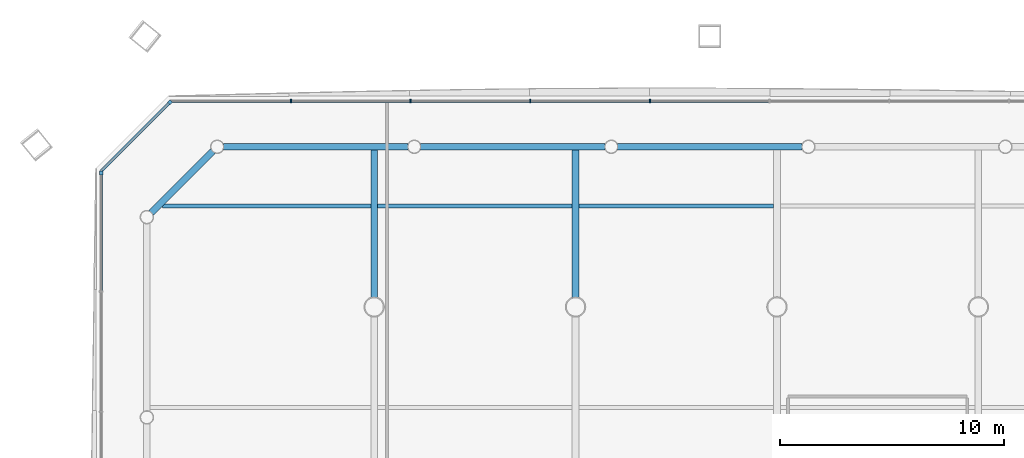
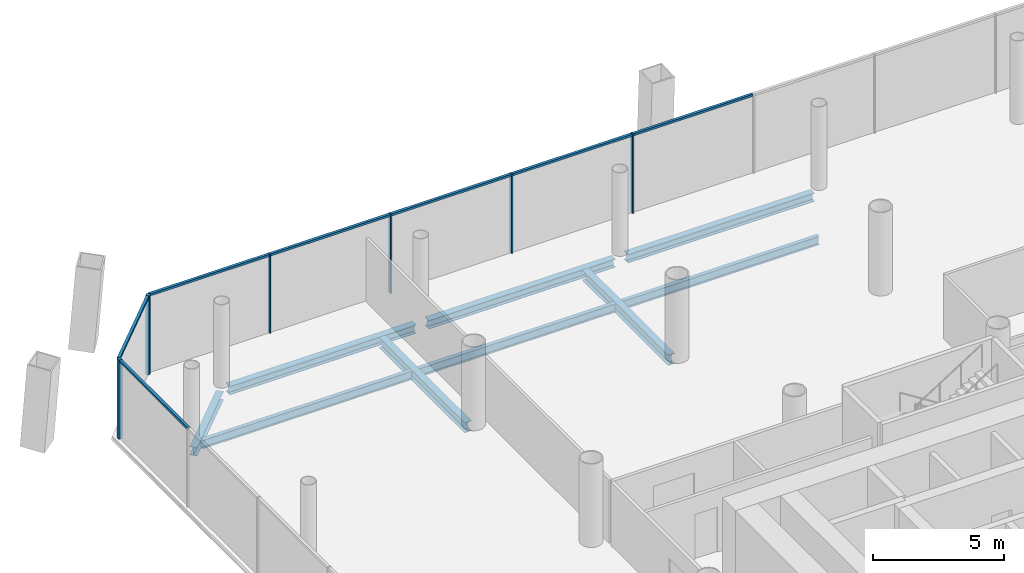
# One storey, part 10 of 22: 13 members, 9 beams, 3 elements without a shape of their own.
"""IFC4 building model written with IfcOpenShell, lengths in metres."""

from ifc_helpers import new_model, si_unit, direction, frame, origin, origin_2d, place, context, subcontext, project, spatial, rectangle, i_section, extrude, material, material_profile, profile_set, type_object, element, aggregate, save


model = new_model("IFC4")

# Units and contexts
model_context = context("Model", 3, precision=1e-05, world=origin(), true_north=direction((0.0, 1.0)))
body_context = subcontext(model_context, "Body", "Model", "MODEL_VIEW")
ifc_project = project(units=[si_unit("LENGTHUNIT", "METRE"), si_unit("AREAUNIT", "SQUARE_METRE"), si_unit("VOLUMEUNIT", "CUBIC_METRE"), si_unit("PLANEANGLEUNIT", "RADIAN"), si_unit("MASSUNIT", "GRAM", prefix="KILO")], contexts=[model_context])

# Site, building, storey
site_placement = place(None, origin())
site = spatial("IfcSite", under=ifc_project, at=site_placement, CompositionType="ELEMENT")
building_placement = place(site_placement, origin())
building = spatial("IfcBuilding", under=site, at=building_placement, Name="Tskaro Facet Tower", CompositionType="ELEMENT")
storey_placement = place(building_placement, frame((0.0, 0.0, 26.39990234375)))
storey = spatial("IfcBuildingStorey", under=building, at=storey_placement, Name="L05", CompositionType="ELEMENT", Elevation=26.39990234375)

# Curtain wall, member
ifc_material_1 = material(Name="Bronze anodised aluminium 6063-T6", Category="aluminium")
curtain_wall_type = type_object("IfcCurtainWallType", Name="Bronze office curtain wall (FW1)", PredefinedType="NOTDEFINED", material=ifc_material_1)
curtain_wall_1_placement = place(storey_placement, origin())
curtain_wall_1 = element("IfcCurtainWall", 1, at=curtain_wall_1_placement, inside=storey, type_object=curtain_wall_type, Name="FW1 north-west facet L05", PredefinedType="NOTDEFINED")
ifc_material_profile_1 = material_profile(ifc_material_1, rectangle(XDim=0.159912109375, YDim=0.159912109375, at=origin_2d()), Name="Corner post 160x160")
ifc_profile_set_1 = profile_set([ifc_material_profile_1], Name="Bronze anodised aluminium 6063-T6")
member_type_1 = type_object("IfcMemberType", Name="FW1 bronze corner post 160x160", PredefinedType="MULLION", material=ifc_profile_set_1)
member_1_placement = place(storey_placement, frame((-27.12255859375, 27.1455078125, 0.0), z_axis=(0.0, 0.0, 1.0), x_axis=(-0.707106781187, -0.707106781187, 0.0)))
member_1 = element("IfcMember", 2, at=member_1_placement, type_object=member_type_1, Name="FW1 north-west corner post", PredefinedType="MULLION", context=body_context, shape_type="SweptSolid", body=[
    extrude(rectangle(XDim=0.159912109375, YDim=0.159912109375, at=origin_2d()), origin(), (0.0, 0.0, 1.0), 3.7001953125),
])

curtain_wall_2_placement = place(storey_placement, origin())
curtain_wall_2 = element("IfcCurtainWall", 3, at=curtain_wall_2_placement, inside=storey, type_object=curtain_wall_type, Name="FW1 west facet L05", PredefinedType="NOTDEFINED")
member_2_placement = place(storey_placement, frame((-30.201904296875, 23.986083984375, 0.0), z_axis=(0.0, 0.0, 1.0), x_axis=(0.0, -1.0, 0.0)))
member_2 = element("IfcMember", 4, at=member_2_placement, type_object=member_type_1, Name="FW1 west corner post", PredefinedType="MULLION", context=body_context, shape_type="SweptSolid", body=[
    extrude(rectangle(XDim=0.159912109375, YDim=0.159912109375, at=origin_2d()), origin(), (0.0, 0.0, 1.0), 3.7001953125),
])

# Curtain wall, members
curtain_wall_3_placement = place(storey_placement, origin())
curtain_wall_3 = element("IfcCurtainWall", 5, at=curtain_wall_3_placement, inside=storey, type_object=curtain_wall_type, Name="FW1 north facet L05", PredefinedType="NOTDEFINED")
ifc_material_profile_2 = material_profile(ifc_material_1, rectangle(XDim=0.06005859375, YDim=0.159912109375, at=origin_2d()), Name="Mullion 60x160")
ifc_profile_set_2 = profile_set([ifc_material_profile_2], Name="Bronze anodised aluminium 6063-T6")
member_type_2 = type_object("IfcMemberType", Name="FW1 bronze mullion 60x160", PredefinedType="MULLION", material=ifc_profile_set_2)
member_3_placement = place(storey_placement, frame((-5.674072265625, 27.201904296875, 0.0), z_axis=(0.0, 0.0, 1.0), x_axis=(-1.0, 0.0, 0.0)))
member_3 = element("IfcMember", 6, at=member_3_placement, type_object=member_type_2, Name="FW1 north mullion 5", PredefinedType="MULLION", context=body_context, shape_type="SweptSolid", body=[
    extrude(rectangle(XDim=0.06005859375, YDim=0.159912109375, at=origin_2d()), origin(), (0.0, 0.0, 1.0), 3.7001953125),
])
member_4_placement = place(storey_placement, frame((-11.02197265625, 27.201904296875, 0.0), z_axis=(0.0, 0.0, 1.0), x_axis=(-1.0, 0.0, 0.0)))
member_4 = element("IfcMember", 7, at=member_4_placement, type_object=member_type_2, Name="FW1 north mullion 6", PredefinedType="MULLION", context=body_context, shape_type="SweptSolid", body=[
    extrude(rectangle(XDim=0.06005859375, YDim=0.159912109375, at=origin_2d()), origin(), (0.0, 0.0, 1.0), 3.7001953125),
])
member_5_placement = place(storey_placement, frame((-16.3701171875, 27.201904296875, 0.0), z_axis=(0.0, 0.0, 1.0), x_axis=(-1.0, 0.0, 0.0)))
member_5 = element("IfcMember", 8, at=member_5_placement, type_object=member_type_2, Name="FW1 north mullion 7", PredefinedType="MULLION", context=body_context, shape_type="SweptSolid", body=[
    extrude(rectangle(XDim=0.06005859375, YDim=0.159912109375, at=origin_2d()), origin(), (0.0, 0.0, 1.0), 3.7001953125),
])
member_6_placement = place(storey_placement, frame((-21.718017578125, 27.201904296875, 0.0), z_axis=(0.0, 0.0, 1.0), x_axis=(-1.0, 0.0, 0.0)))
member_6 = element("IfcMember", 9, at=member_6_placement, type_object=member_type_2, Name="FW1 north mullion 8", PredefinedType="MULLION", context=body_context, shape_type="SweptSolid", body=[
    extrude(rectangle(XDim=0.06005859375, YDim=0.159912109375, at=origin_2d()), origin(), (0.0, 0.0, 1.0), 3.7001953125),
])
ifc_material_profile_3 = material_profile(ifc_material_1, rectangle(XDim=0.1201171875, YDim=0.10009765625, at=origin_2d()), Name="Transom 120x100")
ifc_profile_set_3 = profile_set([ifc_material_profile_3], Name="Bronze anodised aluminium 6063-T6")
member_type_3 = type_object("IfcMemberType", Name="FW1 bronze transom 120x100", PredefinedType="USERDEFINED", material=ifc_profile_set_3)
member_7_placement = place(storey_placement, frame((-0.35595703125, 27.201904296875, 3.650146484375), z_axis=(-1.0, 0.0, 0.0), x_axis=(0.0, -1.0, 0.0)))
member_7 = element("IfcMember", 10, at=member_7_placement, type_object=member_type_3, Name="FW1 north transom 5.1", ObjectType="TRANSOM", PredefinedType="USERDEFINED", context=body_context, shape_type="SweptSolid", body=[
    extrude(rectangle(XDim=0.1201171875, YDim=0.10009765625, at=origin_2d()), origin(), (0.0, 0.0, 1.0), 5.2880859375),
])
member_8_placement = place(storey_placement, frame((-5.7041015625, 27.201904296875, 3.650146484375), z_axis=(-1.0, 0.0, 0.0), x_axis=(0.0, -1.0, 0.0)))
member_8 = element("IfcMember", 11, at=member_8_placement, type_object=member_type_3, Name="FW1 north transom 6.1", ObjectType="TRANSOM", PredefinedType="USERDEFINED", context=body_context, shape_type="SweptSolid", body=[
    extrude(rectangle(XDim=0.1201171875, YDim=0.10009765625, at=origin_2d()), origin(), (0.0, 0.0, 1.0), 5.287841796875),
])
member_9_placement = place(storey_placement, frame((-11.052001953125, 27.201904296875, 3.650146484375), z_axis=(-1.0, 0.0, 0.0), x_axis=(0.0, -1.0, 0.0)))
member_9 = element("IfcMember", 12, at=member_9_placement, type_object=member_type_3, Name="FW1 north transom 7.1", ObjectType="TRANSOM", PredefinedType="USERDEFINED", context=body_context, shape_type="SweptSolid", body=[
    extrude(rectangle(XDim=0.1201171875, YDim=0.10009765625, at=origin_2d()), origin(), (0.0, 0.0, 1.0), 5.2880859375),
])
member_10_placement = place(storey_placement, frame((-16.39990234375, 27.201904296875, 3.650146484375), z_axis=(-1.0, 0.0, 0.0), x_axis=(0.0, -1.0, 0.0)))
member_10 = element("IfcMember", 13, at=member_10_placement, type_object=member_type_3, Name="FW1 north transom 8.1", ObjectType="TRANSOM", PredefinedType="USERDEFINED", context=body_context, shape_type="SweptSolid", body=[
    extrude(rectangle(XDim=0.1201171875, YDim=0.10009765625, at=origin_2d()), origin(), (0.0, 0.0, 1.0), 5.2880859375),
])
member_11_placement = place(storey_placement, frame((-21.748046875, 27.201904296875, 3.650146484375), z_axis=(-1.0, 0.0, 0.0), x_axis=(0.0, -1.0, 0.0)))
member_11 = element("IfcMember", 14, at=member_11_placement, type_object=member_type_3, Name="FW1 north transom 9.1", ObjectType="TRANSOM", PredefinedType="USERDEFINED", context=body_context, shape_type="SweptSolid", body=[
    extrude(rectangle(XDim=0.1201171875, YDim=0.10009765625, at=origin_2d()), origin(), (0.0, 0.0, 1.0), 5.31787109375),
])
aggregate(curtain_wall_3, [member_3, member_4, member_5, member_6, member_7, member_8, member_9, member_10, member_11])

# Member
member_12_placement = place(storey_placement, frame((-27.17919921875, 27.0888671875, 3.650146484375), z_axis=(-0.707078225638, -0.707135335582, 0.0), x_axis=(0.707135335582, -0.707078225638, 0.0)))
member_12 = element("IfcMember", 15, at=member_12_placement, type_object=member_type_3, Name="FW1 north-west transom 1.1", ObjectType="TRANSOM", PredefinedType="USERDEFINED", context=body_context, shape_type="SweptSolid", body=[
    extrude(rectangle(XDim=0.1201171875, YDim=0.10009765625, at=origin_2d()), origin(), (0.0, 0.0, 1.0), 4.27490234375),
])

aggregate(curtain_wall_1, [member_1, member_12])

member_13_placement = place(storey_placement, frame((-30.201904296875, 23.906005859375, 3.650146484375), z_axis=(0.0, -1.0, 0.0), x_axis=(1.0, 0.0, 0.0)))
member_13 = element("IfcMember", 16, at=member_13_placement, type_object=member_type_3, Name="FW1 west transom 1.1", ObjectType="TRANSOM", PredefinedType="USERDEFINED", context=body_context, shape_type="SweptSolid", body=[
    extrude(rectangle(XDim=0.1201171875, YDim=0.10009765625, at=origin_2d()), origin(), (0.0, 0.0, 1.0), 5.1845703125),
])

aggregate(curtain_wall_2, [member_2, member_13])

# Beams
ifc_material_2 = material(Name="Steel S355J2", Category="steel")
ifc_material_profile_4 = material_profile(ifc_material_2, i_section(OverallWidth=0.300048828125, OverallDepth=0.39990234375, WebThickness=0.013427734375, FlangeThickness=0.02392578125, FilletRadius=0.027099609375, at=origin_2d()), Name="HE 400 B")
ifc_profile_set_4 = profile_set([ifc_material_profile_4], Name="Steel S355J2")
beam_type_1 = type_object("IfcBeamType", Name="HE 400 B ring beam", PredefinedType="BEAM", material=ifc_profile_set_4)
beam_1_placement = place(storey_placement, frame((1.126953125, 25.156982421875, -0.33984375), z_axis=(-1.0, 0.0, 0.0), x_axis=(0.0, -1.0, 0.0)))
element("IfcBeam", 17, at=beam_1_placement, inside=storey, type_object=beam_type_1, Name="HE 400 B EB16-1", PredefinedType="BEAM", context=body_context, shape_type="SweptSolid", body=[
    extrude(i_section(OverallWidth=0.300048828125, OverallDepth=0.39990234375, WebThickness=0.013427734375, FlangeThickness=0.02392578125, FilletRadius=0.027099609375, at=origin_2d()), origin(), (0.0, 0.0, 1.0), 8.25390625),
])
beam_2_placement = place(storey_placement, frame((-7.677001953125, 25.156982421875, -0.33984375), z_axis=(-1.0, 0.0, 0.0), x_axis=(0.0, -1.0, 0.0)))
element("IfcBeam", 18, at=beam_2_placement, inside=storey, type_object=beam_type_1, Name="HE 400 B EB17-1", PredefinedType="BEAM", context=body_context, shape_type="SweptSolid", body=[
    extrude(i_section(OverallWidth=0.300048828125, OverallDepth=0.39990234375, WebThickness=0.013427734375, FlangeThickness=0.02392578125, FilletRadius=0.027099609375, at=origin_2d()), origin(), (0.0, 0.0, 1.0), 8.2548828125),
])
beam_3_placement = place(storey_placement, frame((-16.48193359375, 25.156982421875, -0.33984375), z_axis=(-1.0, 0.0, 0.0), x_axis=(0.0, -1.0, 0.0)))
element("IfcBeam", 19, at=beam_3_placement, inside=storey, type_object=beam_type_1, Name="HE 400 B EB18-1", PredefinedType="BEAM", context=body_context, shape_type="SweptSolid", body=[
    extrude(i_section(OverallWidth=0.300048828125, OverallDepth=0.39990234375, WebThickness=0.013427734375, FlangeThickness=0.02392578125, FilletRadius=0.027099609375, at=origin_2d()), origin(), (0.0, 0.0, 1.0), 8.255126953125),
])
beam_4_placement = place(storey_placement, frame((-25.20654296875, 24.962646484375, -0.33984375), z_axis=(-0.707106781187, -0.707106781187, 0.0), x_axis=(0.707106781187, -0.707106781187, 0.0)))
element("IfcBeam", 20, at=beam_4_placement, inside=storey, type_object=beam_type_1, Name="HE 400 B EB19-1", PredefinedType="BEAM", context=body_context, shape_type="SweptSolid", body=[
    extrude(i_section(OverallWidth=0.300048828125, OverallDepth=0.39990234375, WebThickness=0.013427734375, FlangeThickness=0.02392578125, FilletRadius=0.027099609375, at=origin_2d()), origin(), (0.0, 0.0, 1.0), 3.897705078125),
])
ifc_material_profile_5 = material_profile(ifc_material_2, i_section(OverallWidth=0.300048828125, OverallDepth=0.489990234375, WebThickness=0.011962890625, FlangeThickness=0.02294921875, FilletRadius=0.027099609375, at=origin_2d()), Name="HE 500 A")
ifc_profile_set_5 = profile_set([ifc_material_profile_5], Name="Steel S355J2")
beam_type_2 = type_object("IfcBeamType", Name="HE 500 A girder", PredefinedType="BEAM", material=ifc_profile_set_5)
for number, where, z_axis, x_axis, name in (
    (21, (-18.0, 18.42724609375, -0.385009765625), (0.0, 1.0, 0.0), (-1.0, 0.0, 0.0), "HE 500 A GB2-6-1"),
    (22, (-9.0, 18.42724609375, -0.385009765625), (0.0, 1.0, 0.0), (-1.0, 0.0, 0.0), "HE 500 A GB3-5-1"),
):
    element("IfcBeam", number, at=place(storey_placement, frame(where, z_axis=z_axis, x_axis=x_axis)), inside=storey, type_object=beam_type_2, Name=name, PredefinedType="BEAM", context=body_context, shape_type="SweptSolid", body=[
        extrude(i_section(OverallWidth=0.300048828125, OverallDepth=0.489990234375, WebThickness=0.011962890625, FlangeThickness=0.02294921875, FilletRadius=0.027099609375, at=origin_2d()), origin(), (0.0, 0.0, 1.0), 6.579833984375),
    ])
ifc_material_profile_6 = material_profile(ifc_material_2, i_section(OverallWidth=0.179931640625, OverallDepth=0.39990234375, WebThickness=0.008544921875, FlangeThickness=0.013427734375, FilletRadius=0.02099609375, at=origin_2d()), Name="IPE 400")
ifc_profile_set_6 = profile_set([ifc_material_profile_6], Name="Steel S355J2")
beam_type_3 = type_object("IfcBeamType", Name="IPE 400 secondary beam", PredefinedType="BEAM", material=ifc_profile_set_6)
beam_5_placement = place(storey_placement, frame((-27.45703125, 22.5, -0.33984375), z_axis=(1.0, 0.0, 0.0), x_axis=(0.0, 1.0, 0.0)))
element("IfcBeam", 23, at=beam_5_placement, inside=storey, type_object=beam_type_3, Name="IPE 400 SB6a-1-1", PredefinedType="BEAM", context=body_context, shape_type="SweptSolid", body=[
    extrude(i_section(OverallWidth=0.179931640625, OverallDepth=0.39990234375, WebThickness=0.008544921875, FlangeThickness=0.013427734375, FilletRadius=0.02099609375, at=origin_2d()), origin(), (0.0, 0.0, 1.0), 9.30712890625),
])
for number, where, z_axis, x_axis, name in (
    (24, (-17.85009765625, 22.5, -0.33984375), (1.0, 0.0, 0.0), (0.0, 1.0, 0.0), "IPE 400 SB6a-2-1"),
    (25, (-8.85009765625, 22.5, -0.33984375), (1.0, 0.0, 0.0), (0.0, 1.0, 0.0), "IPE 400 SB6a-3-1"),
):
    element("IfcBeam", number, at=place(storey_placement, frame(where, z_axis=z_axis, x_axis=x_axis)), inside=storey, type_object=beam_type_3, Name=name, PredefinedType="BEAM", context=body_context, shape_type="SweptSolid", body=[
        extrude(i_section(OverallWidth=0.179931640625, OverallDepth=0.39990234375, WebThickness=0.008544921875, FlangeThickness=0.013427734375, FilletRadius=0.02099609375, at=origin_2d()), origin(), (0.0, 0.0, 1.0), 8.7001953125),
    ])

save(model, "model.ifc")
